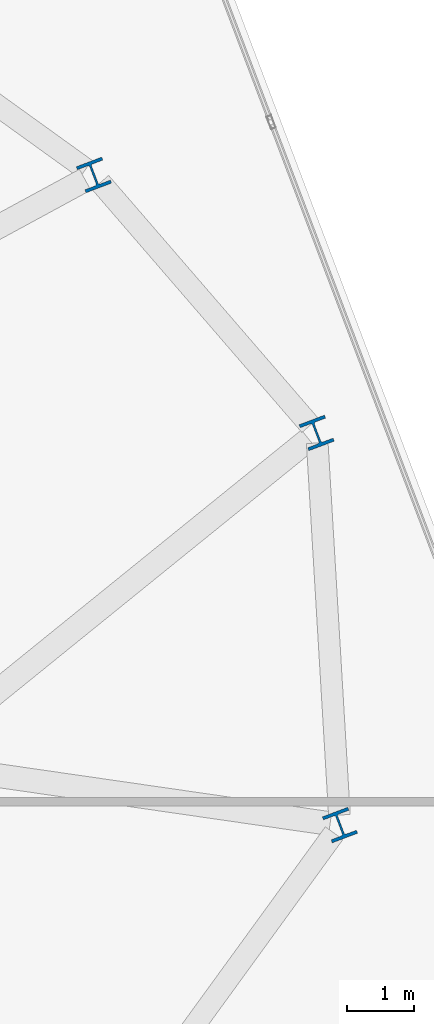
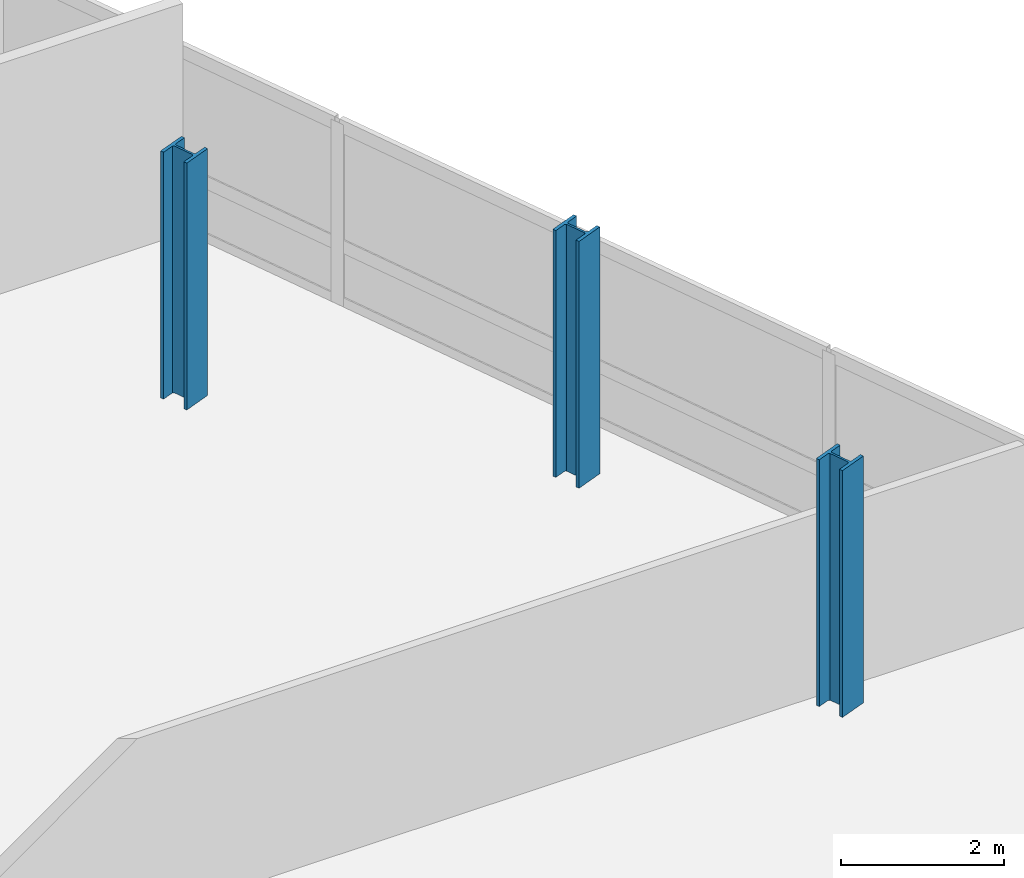
# One storey, part 2 of 20: 3 columns.
"""IFC4 building model written with IfcOpenShell, lengths in metres."""

import ifcopenshell
import ifcopenshell.guid

model = None  # the IFC model being written
_history = None  # IfcOwnerHistory: only IFC2X3 demands one
_inside = {}  # id of a spatial element -> (the spatial element, [elements in it])
_under = {}  # id of a project, library or spatial element -> (it, [spatial elements below it])
_declared = {}  # id of a project -> (the project, [libraries it declares])
_typed = {}  # id of a type object -> (the type object, [elements of that type])
_made_of = {}  # id of a material, layer set ... -> (it, [elements and type objects made of it])


def new_model(schema):
    """Start an empty IFC model of exactly this schema.

    Asked for "IFC4X3", IfcOpenShell would pick the latest addendum, in which some entities
    have other attributes; the version numbers below select the first issue.
    IFC2X3 requires an IfcOwnerHistory on every rooted entity: one is made here for all.
    """
    global model, _history
    if schema == "IFC4X3":
        model = ifcopenshell.file(schema_version=(4, 3, 0, 0))
    else:
        model = ifcopenshell.file(schema=schema)
    _inside.clear()
    _under.clear()
    _declared.clear()
    _typed.clear()
    _made_of.clear()
    _history = None
    if model.schema == "IFC2X3":
        org = make("IfcOrganization", Name="unknown")
        user = make(
            "IfcPersonAndOrganization",
            ThePerson=make("IfcPerson", FamilyName="unknown"),
            TheOrganization=org,
        )
        app = make(
            "IfcApplication",
            ApplicationDeveloper=org,
            Version="unknown",
            ApplicationFullName="unknown",
            ApplicationIdentifier="unknown",
        )
        _history = make(
            "IfcOwnerHistory",
            OwningUser=user,
            OwningApplication=app,
            ChangeAction="ADDED",
            CreationDate=0,
        )
    return model


def make(cls, **values):
    """One entity of the class cls with the attributes given. An attribute that is None is left unset."""
    return model.create_entity(
        cls, **{name: value for name, value in values.items() if value is not None}
    )


def rooted(cls, **values):
    """An entity with a GlobalId (a new one), such as an element, a storey or a relation."""
    return make(cls, GlobalId=ifcopenshell.guid.new(), OwnerHistory=_history, **values)


def si_unit(unit_type, name, prefix=None):
    """IfcSIUnit, for example si_unit("LENGTHUNIT", "METRE", prefix="MILLI")."""
    return make("IfcSIUnit", UnitType=unit_type, Prefix=prefix, Name=name)


def assignment(units):
    """IfcUnitAssignment: the units of a project."""
    return None if units is None else make("IfcUnitAssignment", Units=units)


def point(xyz):
    """IfcCartesianPoint."""
    return None if xyz is None else make("IfcCartesianPoint", Coordinates=xyz)


def direction(xyz):
    """IfcDirection."""
    return None if xyz is None else make("IfcDirection", DirectionRatios=xyz)


def frame(location, z_axis=None, x_axis=None):
    """IfcAxis2Placement3D, a coordinate frame: its origin and axes. An axis left out is left unset."""
    return make(
        "IfcAxis2Placement3D",
        Location=point(location),
        Axis=direction(z_axis),
        RefDirection=direction(x_axis),
    )


def frame_2d(location, x_axis=None):
    """IfcAxis2Placement2D, a coordinate frame in the plane: its origin and x axis."""
    return make(
        "IfcAxis2Placement2D", Location=point(location), RefDirection=direction(x_axis)
    )


def origin():
    """The frame at (0, 0, 0) with its axes left unset."""
    return frame((0.0, 0.0, 0.0))


def origin_2d():
    """The frame at (0, 0) in the plane with its x axis left unset."""
    return frame_2d((0.0, 0.0))


def place(relative_to, where):
    """IfcLocalPlacement: puts the frame where relative to a parent placement (None: the world)."""
    return make(
        "IfcLocalPlacement", PlacementRelTo=relative_to, RelativePlacement=where
    )


def context(
    kind, dimensions, precision=None, world=None, true_north=None, identifier=None
):
    """IfcGeometricRepresentationContext, for example the 3D "Model" context."""
    return make(
        "IfcGeometricRepresentationContext",
        ContextIdentifier=identifier,
        ContextType=kind,
        CoordinateSpaceDimension=dimensions,
        Precision=precision,
        WorldCoordinateSystem=world,
        TrueNorth=true_north,
    )


def subcontext(parent, identifier, kind, view, scale=None):
    """IfcGeometricRepresentationSubContext, for example "Body" below "Model"."""
    return make(
        "IfcGeometricRepresentationSubContext",
        ContextIdentifier=identifier,
        ContextType=kind,
        ParentContext=parent,
        TargetScale=scale,
        TargetView=view,
    )


def project(units=None, contexts=None):
    """IfcProject with its units and contexts."""
    return rooted(
        "IfcProject",
        Name="project",
        RepresentationContexts=contexts,
        UnitsInContext=assignment(units),
    )


def spatial(cls, under=None, at=None, **own):
    """A site, building, storey or space (cls), placed at a placement, below another one or the project."""
    s = rooted(cls, ObjectPlacement=at, **own)
    if under is not None:
        _under.setdefault(under.id(), (under, []))[1].append(s)
    return s


def profile(cls, at=None, kind="AREA", **sizes):
    """A parametric profile (cls). Its sizes go by their IFC names, for example OverallWidth=200.0."""
    return make(cls, ProfileType=kind, Position=at, **sizes)


def i_section(**sizes):
    """IfcIShapeProfileDef."""
    return profile("IfcIShapeProfileDef", **sizes)


def extrude(swept, where, along, depth):
    """IfcExtrudedAreaSolid: the profile swept, set in the frame where, extruded along a direction by depth."""
    return make(
        "IfcExtrudedAreaSolid",
        SweptArea=swept,
        Position=where,
        ExtrudedDirection=direction(along),
        Depth=depth,
    )


def shape(context_of_items, identifier, shape_type, items):
    """IfcShapeRepresentation: the items that make up one representation, for example the "Body"."""
    return make(
        "IfcShapeRepresentation",
        ContextOfItems=context_of_items,
        RepresentationIdentifier=identifier,
        RepresentationType=shape_type,
        Items=items,
    )


def material(Name=None, Category=None):
    """IfcMaterial."""
    return make("IfcMaterial", Name=Name, Category=Category)


def material_profile(
    of_material, cross_section, Name=None, Category=None, Priority=None
):
    """IfcMaterialProfile: a cross section and its material."""
    return make(
        "IfcMaterialProfile",
        Name=Name,
        Material=of_material,
        Profile=cross_section,
        Priority=Priority,
        Category=Category,
    )


def profile_set(profiles, Name=None, composite=None):
    """IfcMaterialProfileSet."""
    return make(
        "IfcMaterialProfileSet",
        Name=Name,
        MaterialProfiles=profiles,
        CompositeProfile=composite,
    )


def made_of(thing, what):
    """Note that an element or type object is made of a material, layer set ...; save() writes the relation."""
    if what is not None:
        _made_of.setdefault(what.id(), (what, []))[1].append(thing)
    return thing


def type_object(cls, material=None, **own):
    """A type object (cls), such as IfcWallType, which elements share."""
    return made_of(rooted(cls, **own), material)


def element(
    cls,
    number,
    at=None,
    inside=None,
    cuts=None,
    type_object=None,
    material=None,
    context=None,
    identifier="Body",
    shape_type=None,
    held_by="IfcProductDefinitionShape",
    body=None,
    shapes=None,
    **own,
):
    """One element of the class cls, such as IfcWall. Its Tag is "e" and its number.

    at: its placement. inside: the storey or other place that contains it. cuts: it is an
    opening in that element (IfcRelVoidsElement). A single representation is given by context,
    identifier, shape_type and body (its items); several are given by shapes. held_by: the class
    of the entity that holds the representations. save() writes the other relations.
    """
    e = rooted(cls, Tag="e%d" % number, ObjectPlacement=at, **own)
    if body is not None:
        shapes = [shape(context, identifier, shape_type, body)]
    if shapes is not None:
        e.Representation = make(held_by, Representations=shapes)
    if inside is not None:
        _inside.setdefault(inside.id(), (inside, []))[1].append(e)
    if cuts is not None:
        rooted(
            "IfcRelVoidsElement", RelatingBuildingElement=cuts, RelatedOpeningElement=e
        )
    if type_object is not None:
        _typed.setdefault(type_object.id(), (type_object, []))[1].append(e)
    return made_of(e, material)


def aggregate(whole, parts):
    """IfcRelAggregates: a whole, such as a stair, and the parts it consists of."""
    return rooted("IfcRelAggregates", RelatingObject=whole, RelatedObjects=parts)


def save(model, path):
    """Write the relations noted so far, then the file.

    IfcRelAggregates (storeys below a building ...), IfcRelContainedInSpatialStructure (elements
    in a storey), IfcRelDefinesByType, IfcRelAssociatesMaterial and IfcRelDeclares: one each for
    every whole, place, type object, material and project.
    """
    for whole, parts in _under.values():
        aggregate(whole, parts)
    for where, things in _inside.values():
        rooted(
            "IfcRelContainedInSpatialStructure",
            RelatedElements=things,
            RelatingStructure=where,
        )
    for kind, things in _typed.values():
        rooted("IfcRelDefinesByType", RelatedObjects=things, RelatingType=kind)
    for what, things in _made_of.values():
        rooted("IfcRelAssociatesMaterial", RelatedObjects=things, RelatingMaterial=what)
    for by, libraries in _declared.values():
        rooted("IfcRelDeclares", RelatingContext=by, RelatedDefinitions=libraries)
    model.write(path)


model = new_model("IFC4")

# Units and contexts
model_context = context("Model", 3, precision=1e-05, world=origin(), true_north=direction((0.0, 1.0)))
body_context = subcontext(model_context, "Body", "Model", "MODEL_VIEW")
ifc_project = project(units=[si_unit("LENGTHUNIT", "METRE"), si_unit("AREAUNIT", "SQUARE_METRE"), si_unit("VOLUMEUNIT", "CUBIC_METRE"), si_unit("PLANEANGLEUNIT", "RADIAN"), si_unit("MASSUNIT", "GRAM", prefix="KILO")], contexts=[model_context])

# Site, building, storey
site_placement = place(None, origin())
site = spatial("IfcSite", under=ifc_project, at=site_placement, CompositionType="ELEMENT")
building_placement = place(site_placement, origin())
building = spatial("IfcBuilding", under=site, at=building_placement, Name="Varnelok Gate Tower", CompositionType="ELEMENT")
storey_placement = place(building_placement, frame((0.0, 0.0, 238.60009765625)))
storey = spatial("IfcBuildingStorey", under=building, at=storey_placement, Name="L61", CompositionType="ELEMENT", Elevation=238.60009765625)

# Columns
ifc_material = material(Name="Structural Steel ASTM A992 Grade 50", Category="steel")
ifc_material_profile = material_profile(ifc_material, i_section(OverallWidth=0.406005859375, OverallDepth=0.416015625, WebThickness=0.02978515625, FlangeThickness=0.048095703125, FilletRadius=0.02490234375, at=origin_2d()), Name="W14X257")
ifc_profile_set = profile_set([ifc_material_profile], Name="Structural Steel ASTM A992 Grade 50")
column_type = type_object("IfcColumnType", Name="COL-W14X257", PredefinedType="COLUMN", material=ifc_profile_set)
for number, where, z_axis, x_axis, name in (
    (1, (71.05517578125, 26.453369140625, 0.0), (0.0, 0.0, 1.0), (0.935221751401, 0.354062530786, 0.0), "L61 B5 Perimeter Column PC06"),
    (2, (70.70556640625, 32.319580078125, 0.0), (0.0, 0.0, 1.0), (0.935221751401, 0.354062530786, 0.0), "L61 B5 Perimeter Column PC07"),
    (3, (67.372802734375, 36.1796875, 0.0), (0.0, 0.0, 1.0), (0.935221751401, 0.354062530786, 0.0), "L61 B5 Perimeter Column PC08"),
):
    element("IfcColumn", number, at=place(storey_placement, frame(where, z_axis=z_axis, x_axis=x_axis)), inside=storey, type_object=column_type, Name=name, PredefinedType="COLUMN", context=body_context, shape_type="SweptSolid", body=[
        extrude(i_section(OverallWidth=0.406005859375, OverallDepth=0.416015625, WebThickness=0.02978515625, FlangeThickness=0.048095703125, FilletRadius=0.02490234375, at=origin_2d()), origin(), (0.0, 0.0, 1.0), 3.699951171875),
    ])

save(model, "model.ifc")
